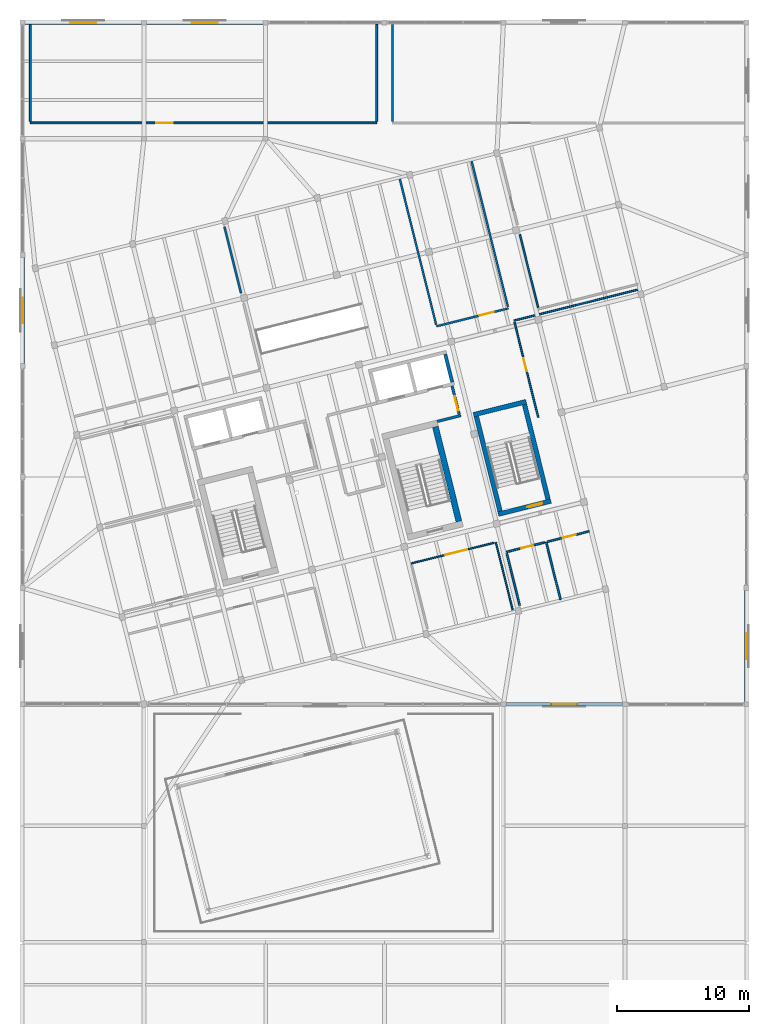
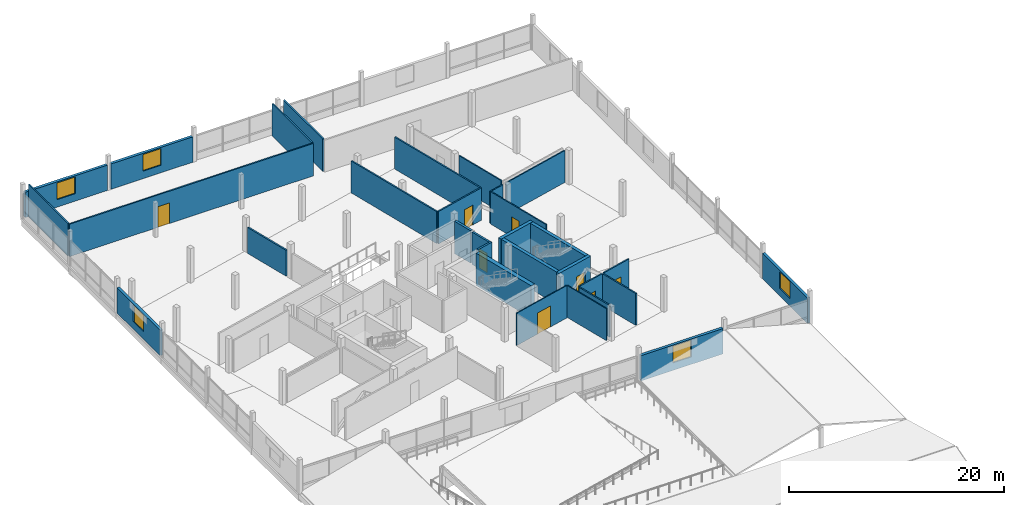
# One storey, part 35 of 39: 31 walls, 8 doors, 5 windows, 13 openings.
"""IFC4 building model written with IfcOpenShell, lengths in metres."""

from ifc_helpers import new_model, si_unit, direction, frame, frame_2d, origin, place, context, subcontext, project, spatial, rectangle, extrude, material, layer, layer_set, type_object, element, fill, save


model = new_model("IFC4")

# Units and contexts
model_context = context("Model", 3, precision=1e-05, world=origin(), true_north=direction((0.0, 1.0)))
body_context = subcontext(model_context, "Body", "Model", "MODEL_VIEW")
ifc_project = project(units=[si_unit("LENGTHUNIT", "METRE"), si_unit("AREAUNIT", "SQUARE_METRE"), si_unit("VOLUMEUNIT", "CUBIC_METRE"), si_unit("PLANEANGLEUNIT", "RADIAN"), si_unit("MASSUNIT", "GRAM", prefix="KILO")], contexts=[model_context])

# Site, building, storey
site_placement = place(None, origin())
site = spatial("IfcSite", under=ifc_project, at=site_placement, CompositionType="ELEMENT")
building_placement = place(site_placement, origin())
building = spatial("IfcBuilding", under=site, at=building_placement, Name="Meriwether Solvik Hall", CompositionType="ELEMENT")
storey_placement = place(building_placement, frame((0.0, 0.0, 22.199951171875)))
storey = spatial("IfcBuildingStorey", under=building, at=storey_placement, Name="L05", CompositionType="ELEMENT", Elevation=22.199951171875)

# Walls
ifc_material_1 = material(Name="Double-Layer Acoustic Gypsum Board", Category="gypsum")
ifc_layer_1 = layer(ifc_material_1, 0.1650390625)
ifc_layer_set_1 = layer_set([ifc_layer_1], Name="Double-Layer Acoustic Gypsum Board")
wall_type_1 = type_object("IfcWallType", Name="WALL-DEM-165", PredefinedType="PARTITIONING", material=ifc_layer_set_1)
wall_1_placement = place(storey_placement, frame((87.39990234375, 92.64990234375, 0.0), z_axis=(0.0, 0.0, 1.0), x_axis=(0.0, -1.0, 0.0)))
element("IfcWall", 1, at=wall_1_placement, inside=storey, type_object=wall_type_1, Name="L05 Interior Partition dat_n5b_w", PredefinedType="PARTITIONING", context=body_context, shape_type="SweptSolid", body=[
    extrude(rectangle(XDim=7.329833984375, YDim=0.1650390625, at=frame_2d((3.6650390625, 0.0))), origin(), (0.0, 0.0, 1.0), 3.679931640625),
])
wall_2_placement = place(storey_placement, frame((75.94091796875, 72.313720703125, 0.0), z_axis=(0.0, 0.0, 1.0), x_axis=(-0.241925047615, 0.970294940385, 0.0)))
element("IfcWall", 2, at=wall_2_placement, inside=storey, type_object=wall_type_1, Name="L05 Interior Partition art_nw1_e_s2", PredefinedType="PARTITIONING", context=body_context, shape_type="SweptSolid", body=[
    extrude(rectangle(XDim=5.175048828125, YDim=0.1650390625, at=frame_2d((2.58740234375, 0.0))), origin(), (0.0, 0.0, 1.0), 2.945068359375),
])

# Wall, opening, window
ifc_material_2 = material(Name="Cross-Laminated Timber and Mineral-Wool Insulation", Category="wood")
ifc_layer_2 = layer(ifc_material_2, 0.2900390625)
ifc_layer_set_2 = layer_set([ifc_layer_2], Name="Cross-Laminated Timber and Mineral-Wool Insulation")
wall_type_2 = type_object("IfcWallType", Name="WALL-EXT-290", PredefinedType="SOLIDWALL", material=ifc_layer_set_2)
wall_3_placement = place(storey_placement, frame((104.805419921875, 41.199951171875, 0.0), z_axis=(0.0, 0.0, 1.0), x_axis=(-1.0, 0.0, 0.0)))
wall_3 = element("IfcWall", 3, at=wall_3_placement, inside=storey, type_object=wall_type_2, Name="L05 S Wing Facade Wall XE_11_4", PredefinedType="SOLIDWALL", context=body_context, shape_type="SweptSolid", body=[
    extrude(rectangle(XDim=8.81103515625, YDim=0.2900390625, at=frame_2d((4.405517578125, 0.0))), origin(), (0.0, 0.0, 1.0), 2.880126953125),
])
opening_1_placement = place(wall_3_placement, frame((3.430419921875, 0.0, 0.85009765625)))
opening_1 = element("IfcOpeningElement", 4, at=opening_1_placement, cuts=wall_3, Name="Opening WN-158", PredefinedType="OPENING", context=body_context, shape_type="SweptSolid", body=[
    extrude(rectangle(XDim=1.949951171875, YDim=1.89990234375, at=frame_2d((0.97509765625, 0.949951171875))), frame((0.0, 0.156982421875, 0.0), z_axis=(0.0, -1.0, 0.0), x_axis=(1.0, 0.0, 0.0)), (0.0, 0.0, 1.0), 0.31396484375),
])
ifc_material_3 = material(Name="Thermally Broken Anodised Aluminium and Triple Low-E Glass", Category="aluminium")
window_type = type_object("IfcWindowType", Name="WIN-TW-LOW-195X190", PartitioningType="SINGLE_PANEL", PredefinedType="WINDOW", material=ifc_material_3)
window_1_placement = place(opening_1_placement, origin())
window_1 = element("IfcWindow", 5, at=window_1_placement, inside=storey, type_object=window_type, Name="L05 S Window XE_11_4", OverallHeight=1.89990234375, OverallWidth=1.949951171875, PartitioningType="SINGLE_PANEL", PredefinedType="WINDOW", context=body_context, shape_type="SweptSolid", body=[
    extrude(rectangle(XDim=1.949951171875, YDim=1.89990234375, at=frame_2d((0.97509765625, 0.949951171875))), frame((0.0, 0.030029296875, 0.0), z_axis=(0.0, -1.0, 0.0), x_axis=(1.0, 0.0, 0.0)), (0.0, 0.0, 1.0), 0.06005859375),
])
fill(opening_1, window_1)

wall_4_placement = place(storey_placement, frame((59.594482421875, 92.800048828125, 0.0), z_axis=(0.0, 0.0, 1.0), x_axis=(1.0, 0.0, 0.0)))
wall_4 = element("IfcWall", 6, at=wall_4_placement, inside=storey, type_object=wall_type_2, Name="L05 N Wing Facade Wall XK_7_6", PredefinedType="SOLIDWALL", context=body_context, shape_type="SweptSolid", body=[
    extrude(rectangle(XDim=8.81103515625, YDim=0.2900390625, at=frame_2d((4.405517578125, 0.0))), origin(), (0.0, 0.0, 1.0), 2.880126953125),
])
opening_2_placement = place(wall_4_placement, frame((3.430419921875, 0.0, 0.85009765625)))
opening_2 = element("IfcOpeningElement", 7, at=opening_2_placement, cuts=wall_4, Name="Opening WN-158", PredefinedType="OPENING", context=body_context, shape_type="SweptSolid", body=[
    extrude(rectangle(XDim=1.949951171875, YDim=1.89990234375, at=frame_2d((0.97509765625, 0.949951171875))), frame((0.0, 0.156982421875, 0.0), z_axis=(0.0, -1.0, 0.0), x_axis=(1.0, 0.0, 0.0)), (0.0, 0.0, 1.0), 0.31396484375),
])
window_2_placement = place(opening_2_placement, origin())
window_2 = element("IfcWindow", 8, at=window_2_placement, inside=storey, type_object=window_type, Name="L05 N Window XK_7_6", OverallHeight=1.89990234375, OverallWidth=1.949951171875, PartitioningType="SINGLE_PANEL", PredefinedType="WINDOW", context=body_context, shape_type="SweptSolid", body=[
    extrude(rectangle(XDim=1.949951171875, YDim=1.89990234375, at=frame_2d((0.97509765625, 0.949951171875))), frame((0.0, 0.030029296875, 0.0), z_axis=(0.0, -1.0, 0.0), x_axis=(1.0, 0.0, 0.0)), (0.0, 0.0, 1.0), 0.06005859375),
])
fill(opening_2, window_2)

wall_5_placement = place(storey_placement, frame((68.79443359375, 92.800048828125, 0.0), z_axis=(0.0, 0.0, 1.0), x_axis=(1.0, 0.0, 0.0)))
wall_5 = element("IfcWall", 9, at=wall_5_placement, inside=storey, type_object=wall_type_2, Name="L05 N Wing Facade Wall XK_8_7", PredefinedType="SOLIDWALL", context=body_context, shape_type="SweptSolid", body=[
    extrude(rectangle(XDim=8.81103515625, YDim=0.2900390625, at=frame_2d((4.405517578125, 0.0))), origin(), (0.0, 0.0, 1.0), 2.880126953125),
])
opening_3_placement = place(wall_5_placement, frame((3.430419921875, 0.0, 0.85009765625)))
opening_3 = element("IfcOpeningElement", 10, at=opening_3_placement, cuts=wall_5, Name="Opening WN-158", PredefinedType="OPENING", context=body_context, shape_type="SweptSolid", body=[
    extrude(rectangle(XDim=1.949951171875, YDim=1.89990234375, at=frame_2d((0.97509765625, 0.949951171875))), frame((0.0, 0.156982421875, 0.0), z_axis=(0.0, -1.0, 0.0), x_axis=(1.0, 0.0, 0.0)), (0.0, 0.0, 1.0), 0.31396484375),
])
window_3_placement = place(opening_3_placement, origin())
window_3 = element("IfcWindow", 11, at=window_3_placement, inside=storey, type_object=window_type, Name="L05 N Window XK_8_7", OverallHeight=1.89990234375, OverallWidth=1.949951171875, PartitioningType="SINGLE_PANEL", PredefinedType="WINDOW", context=body_context, shape_type="SweptSolid", body=[
    extrude(rectangle(XDim=1.949951171875, YDim=1.89990234375, at=frame_2d((0.97509765625, 0.949951171875))), frame((0.0, 0.030029296875, 0.0), z_axis=(0.0, -1.0, 0.0), x_axis=(1.0, 0.0, 0.0)), (0.0, 0.0, 1.0), 0.06005859375),
])
fill(opening_3, window_3)

wall_6_placement = place(storey_placement, frame((59.39990234375, 66.994384765625, 0.0), z_axis=(0.0, 0.0, 1.0), x_axis=(0.0, 1.0, 0.0)))
wall_6 = element("IfcWall", 12, at=wall_6_placement, inside=storey, type_object=wall_type_2, Name="L05 W Wing Facade Wall Y7_8_15", PredefinedType="SOLIDWALL", context=body_context, shape_type="SweptSolid", body=[
    extrude(rectangle(XDim=8.01123046875, YDim=0.2900390625, at=frame_2d((4.005615234375, 0.0))), origin(), (0.0, 0.0, 1.0), 2.880126953125),
])
opening_4_placement = place(wall_6_placement, frame((3.030517578125, 0.0, 0.85009765625)))
opening_4 = element("IfcOpeningElement", 13, at=opening_4_placement, cuts=wall_6, Name="Opening WN-158", PredefinedType="OPENING", context=body_context, shape_type="SweptSolid", body=[
    extrude(rectangle(XDim=1.949951171875, YDim=1.89990234375, at=frame_2d((0.97509765625, 0.949951171875))), frame((0.0, 0.156982421875, 0.0), z_axis=(0.0, -1.0, 0.0), x_axis=(1.0, 0.0, 0.0)), (0.0, 0.0, 1.0), 0.31396484375),
])
window_4_placement = place(opening_4_placement, origin())
window_4 = element("IfcWindow", 14, at=window_4_placement, inside=storey, type_object=window_type, Name="L05 W Window Y7_8_15", OverallHeight=1.89990234375, OverallWidth=1.949951171875, PartitioningType="SINGLE_PANEL", PredefinedType="WINDOW", context=body_context, shape_type="SweptSolid", body=[
    extrude(rectangle(XDim=1.949951171875, YDim=1.89990234375, at=frame_2d((0.97509765625, 0.949951171875))), frame((0.0, 0.030029296875, 0.0), z_axis=(0.0, -1.0, 0.0), x_axis=(1.0, 0.0, 0.0)), (0.0, 0.0, 1.0), 0.06005859375),
])
fill(opening_4, window_4)

wall_7_placement = place(storey_placement, frame((114.199951171875, 49.805419921875, 0.0), z_axis=(0.0, 0.0, 1.0), x_axis=(0.0, -1.0, 0.0)))
wall_7 = element("IfcWall", 15, at=wall_7_placement, inside=storey, type_object=wall_type_2, Name="L05 E Wing Facade Wall Y13_5_18", PredefinedType="SOLIDWALL", context=body_context, shape_type="SweptSolid", body=[
    extrude(rectangle(XDim=8.410888671875, YDim=0.2900390625, at=frame_2d((4.20556640625, 0.0))), origin(), (0.0, 0.0, 1.0), 2.880126953125),
])
opening_5_placement = place(wall_7_placement, frame((3.23046875, 0.0, 0.85009765625)))
opening_5 = element("IfcOpeningElement", 16, at=opening_5_placement, cuts=wall_7, Name="Opening WN-158", PredefinedType="OPENING", context=body_context, shape_type="SweptSolid", body=[
    extrude(rectangle(XDim=1.949951171875, YDim=1.89990234375, at=frame_2d((0.97509765625, 0.949951171875))), frame((0.0, 0.156982421875, 0.0), z_axis=(0.0, -1.0, 0.0), x_axis=(1.0, 0.0, 0.0)), (0.0, 0.0, 1.0), 0.31396484375),
])
window_5_placement = place(opening_5_placement, origin())
window_5 = element("IfcWindow", 17, at=window_5_placement, inside=storey, type_object=window_type, Name="L05 E Window Y13_5_18", OverallHeight=1.89990234375, OverallWidth=1.949951171875, PartitioningType="SINGLE_PANEL", PredefinedType="WINDOW", context=body_context, shape_type="SweptSolid", body=[
    extrude(rectangle(XDim=1.949951171875, YDim=1.89990234375, at=frame_2d((0.97509765625, 0.949951171875))), frame((0.0, 0.030029296875, 0.0), z_axis=(0.0, -1.0, 0.0), x_axis=(1.0, 0.0, 0.0)), (0.0, 0.0, 1.0), 0.06005859375),
])
fill(opening_5, window_5)

# Wall
ifc_material_4 = material(Name="Fire-Rated Type X Gypsum Board", Category="gypsum")
ifc_layer_3 = layer(ifc_material_4, 0.199951171875)
ifc_layer_set_3 = layer_set([ifc_layer_3], Name="Fire-Rated Type X Gypsum Board")
wall_type_3 = type_object("IfcWallType", Name="WALL-FIRE-200", PredefinedType="STANDARD", material=ifc_layer_set_3)
wall_8_placement = place(storey_placement, frame((90.791015625, 62.604248046875, 0.0), z_axis=(0.0, 0.0, 1.0), x_axis=(0.970306180373, 0.241879962645, 0.0)))
element("IfcWall", 18, at=wall_8_placement, inside=storey, type_object=wall_type_3, Name="L05 Interior Partition lb2_s", PredefinedType="STANDARD", context=body_context, shape_type="SweptSolid", body=[
    extrude(rectangle(XDim=1.840087890625, YDim=0.199951171875, at=frame_2d((0.919921875, 0.0))), origin(), (0.0, 0.0, 1.0), 3.679931640625),
])

# Wall, opening, door
wall_9_placement = place(storey_placement, frame((91.913330078125, 65.295654296875, 0.0), z_axis=(0.0, 0.0, 1.0), x_axis=(0.241836892041, -0.970316916089, 0.0)))
wall_9 = element("IfcWall", 19, at=wall_9_placement, inside=storey, type_object=wall_type_3, Name="L05 Interior Partition lb2_e", PredefinedType="STANDARD", context=body_context, shape_type="SweptSolid", body=[
    extrude(rectangle(XDim=2.219970703125, YDim=0.199951171875, at=frame_2d((1.10986328125, 0.0))), origin(), (0.0, 0.0, 1.0), 3.679931640625),
])
opening_6_placement = place(wall_9_placement, frame((0.820068359375, 0.0, 0.0)))
opening_6 = element("IfcOpeningElement", 20, at=opening_6_placement, cuts=wall_9, Name="Opening D-168", PredefinedType="OPENING", context=body_context, shape_type="SweptSolid", body=[
    extrude(rectangle(XDim=1.10009765625, YDim=2.199951171875, at=frame_2d((0.550048828125, 1.10009765625))), frame((0.0, 0.11181640625, 0.0), z_axis=(0.0, -1.0, 0.0), x_axis=(1.0, 0.0, 0.0)), (0.0, 0.0, 1.0), 0.223876953125),
])
ifc_material_5 = material(Name="Steel A36 Galvanised", Category="steel")
door_type_1 = type_object("IfcDoorType", Name="DR-FD60-1100L", OperationType="SINGLE_SWING_LEFT", PredefinedType="DOOR", material=ifc_material_5)
door_1_placement = place(opening_6_placement, origin())
door_1 = element("IfcDoor", 21, at=door_1_placement, inside=storey, type_object=door_type_1, Name="East FSAE Lift Lobby Door (L05)", OperationType="SINGLE_SWING_LEFT", OverallHeight=2.199951171875, OverallWidth=1.10009765625, PredefinedType="DOOR", context=body_context, shape_type="SweptSolid", body=[
    extrude(rectangle(XDim=1.10009765625, YDim=2.199951171875, at=frame_2d((0.550048828125, 1.10009765625))), frame((0.0, 0.02490234375, 0.0), z_axis=(0.0, -1.0, 0.0), x_axis=(1.0, 0.0, 0.0)), (0.0, 0.0, 1.0), 0.050048828125),
])
fill(opening_6, door_1)

# Wall
ifc_material_6 = material(Name="Tempered Laminated Glass in Anodised Aluminium Frame", Category="aluminium")
ifc_layer_4 = layer(ifc_material_6, 0.112060546875)
ifc_layer_set_4 = layer_set([ifc_layer_4], Name="Tempered Laminated Glass in Anodised Aluminium Frame")
wall_type_4 = type_object("IfcWallType", Name="WALL-GLZ-112", PredefinedType="PARTITIONING", material=ifc_layer_set_4)
wall_10_placement = place(storey_placement, frame((96.50048828125, 48.343994140625, 0.0), z_axis=(0.0, 0.0, 1.0), x_axis=(-0.241914024689, 0.970297688681, 0.0)))
element("IfcWall", 22, at=wall_10_placement, inside=storey, type_object=wall_type_4, Name="L05 Interior Partition brk_s_e", PredefinedType="PARTITIONING", context=body_context, shape_type="SweptSolid", body=[
    extrude(rectangle(XDim=5.26806640625, YDim=0.112060546875, at=frame_2d((2.634033203125, 0.0))), origin(), (0.0, 0.0, 1.0), 3.630126953125),
])

# Wall, opening, door
wall_11_placement = place(storey_placement, frame((95.109619140625, 53.426513671875, 0.0), z_axis=(0.0, 0.0, 1.0), x_axis=(-0.970297436514, -0.241915036105, 0.0)))
wall_11 = element("IfcWall", 23, at=wall_11_placement, inside=storey, type_object=wall_type_4, Name="L05 Interior Partition brk_s_n", PredefinedType="PARTITIONING", context=body_context, shape_type="SweptSolid", body=[
    extrude(rectangle(XDim=6.47998046875, YDim=0.112060546875, at=frame_2d((3.239990234375, 0.0))), origin(), (0.0, 0.0, 1.0), 3.679931640625),
])
opening_7_placement = place(wall_11_placement, frame((2.118896484375, 0.0, 0.0)))
opening_7 = element("IfcOpeningElement", 24, at=opening_7_placement, cuts=wall_11, Name="Opening D-114", PredefinedType="OPENING", context=body_context, shape_type="SweptSolid", body=[
    extrude(rectangle(XDim=1.699951171875, YDim=2.39990234375, at=frame_2d((0.85009765625, 1.199951171875))), frame((0.0, 0.06787109375, 0.0), z_axis=(0.0, -1.0, 0.0), x_axis=(1.0, 0.0, 0.0)), (0.0, 0.0, 1.0), 0.135986328125),
])
ifc_material_7 = material(Name="Laminated Vision Glass and Solid White Oak Timber", Category="wood")
door_type_2 = type_object("IfcDoorType", Name="DR-GAL-1700", OperationType="DOUBLE_DOOR_SINGLE_SWING", PredefinedType="DOOR", material=ifc_material_7)
door_2_placement = place(opening_7_placement, origin())
door_2 = element("IfcDoor", 25, at=door_2_placement, inside=storey, type_object=door_type_2, Name="L05 Civic Terrace Lounge Door", OperationType="DOUBLE_DOOR_SINGLE_SWING", OverallHeight=2.39990234375, OverallWidth=1.699951171875, PredefinedType="DOOR", context=body_context, shape_type="SweptSolid", body=[
    extrude(rectangle(XDim=1.699951171875, YDim=2.39990234375, at=frame_2d((0.85009765625, 1.199951171875))), frame((0.0, 0.02490234375, 0.0), z_axis=(0.0, -1.0, 0.0), x_axis=(1.0, 0.0, 0.0)), (0.0, 0.0, 1.0), 0.050048828125),
])
fill(opening_7, door_2)

# Walls
ifc_material_8 = material(Name="Concrete C40/50", Category="concrete")
ifc_layer_5 = layer(ifc_material_8, 0.25)
ifc_layer_set_5 = layer_set([ifc_layer_5], Name="Concrete C40/50")
wall_type_5 = type_object("IfcWallType", Name="WALL-HOIST-250", PredefinedType="SHEAR", material=ifc_layer_set_5)
wall_12_placement = place(storey_placement, frame((91.920654296875, 65.575927734375, 0.0), z_axis=(0.0, 0.0, 1.0), x_axis=(-0.241903146974, 0.970300400641, 0.0)))
element("IfcWall", 26, at=wall_12_placement, inside=storey, type_object=wall_type_5, Name="Hoistway BANK2 East Wall (L05)", PredefinedType="SHEAR", context=body_context, shape_type="SweptSolid", body=[
    extrude(rectangle(XDim=2.179931640625, YDim=0.25, at=frame_2d((1.08984375, 0.0))), origin(), (0.0, 0.0, 1.0), 3.679931640625),
])
ifc_material_9 = material(Name="Gypsum Board Partition", Category="gypsum")
ifc_layer_6 = layer(ifc_material_9, 0.125)
ifc_layer_set_6 = layer_set([ifc_layer_6], Name="Gypsum Board Partition")
wall_type_6 = type_object("IfcWallType", Name="WALL-PART-125", PredefinedType="PARTITIONING", material=ifc_layer_set_6)
wall_13_placement = place(storey_placement, frame((105.942626953125, 72.565673828125, 0.0), z_axis=(0.0, 0.0, 1.0), x_axis=(-0.970296452593, -0.241918982482, 0.0)))
element("IfcWall", 27, at=wall_13_placement, inside=storey, type_object=wall_type_6, Name="L05 Interior Partition off_e1_n", PredefinedType="PARTITIONING", context=body_context, shape_type="SweptSolid", body=[
    extrude(rectangle(XDim=7.639404296875, YDim=0.125, at=frame_2d((3.81982421875, 0.0))), origin(), (0.0, 0.0, 1.0), 3.630126953125),
])
wall_14_placement = place(storey_placement, frame((98.180419921875, 70.63037109375, 0.0), z_axis=(0.0, 0.0, 1.0), x_axis=(-0.97029286295, -0.241933379482, 0.0)))
element("IfcWall", 28, at=wall_14_placement, inside=storey, type_object=wall_type_6, Name="L05 Interior Partition off_e1_n_s2", PredefinedType="PARTITIONING", context=body_context, shape_type="SweptSolid", body=[
    extrude(rectangle(XDim=1.62158203125, YDim=0.125, at=frame_2d((0.810791015625, 0.0))), origin(), (0.0, 0.0, 1.0), 3.630126953125),
])

# Wall, opening, door
wall_15_placement = place(storey_placement, frame((96.635986328125, 70.12158203125, 0.0), z_axis=(0.0, 0.0, 1.0), x_axis=(0.241939445223, -0.970291350495, 0.0)))
wall_15 = element("IfcWall", 29, at=wall_15_placement, inside=storey, type_object=wall_type_6, Name="L05 Interior Partition off_e1_w", PredefinedType="PARTITIONING", context=body_context, shape_type="SweptSolid", body=[
    extrude(rectangle(XDim=7.419921875, YDim=0.125, at=frame_2d((3.7099609375, 0.0))), origin(), (0.0, 0.0, 1.0), 3.679931640625),
])
opening_8_placement = place(wall_15_placement, frame((2.823486328125, 0.0, 0.0)))
opening_8 = element("IfcOpeningElement", 30, at=opening_8_placement, cuts=wall_15, Name="Opening D-166", PredefinedType="OPENING", context=body_context, shape_type="SweptSolid", body=[
    extrude(rectangle(XDim=1.0, YDim=2.25, at=frame_2d((0.5, 1.125))), frame((0.0, 0.074462890625, 0.0), z_axis=(0.0, -1.0, 0.0), x_axis=(1.0, 0.0, 0.0)), (0.0, 0.0, 1.0), 0.14892578125),
])
ifc_material_10 = material(Name="Laminated Vision Glass and Solid White Oak Timber", Category="wood")
door_type_3 = type_object("IfcDoorType", Name="DR-OFF-1000L", OperationType="SINGLE_SWING_LEFT", PredefinedType="DOOR", material=ifc_material_10)
door_3_placement = place(opening_8_placement, origin())
door_3 = element("IfcDoor", 31, at=door_3_placement, inside=storey, type_object=door_type_3, Name="L05 Continuing Education Office Door", OperationType="SINGLE_SWING_LEFT", OverallHeight=2.25, OverallWidth=1.0, PredefinedType="DOOR", context=body_context, shape_type="SweptSolid", body=[
    extrude(rectangle(XDim=1.0, YDim=2.25, at=frame_2d((0.5, 1.125))), frame((0.0, 0.02490234375, 0.0), z_axis=(0.0, -1.0, 0.0), x_axis=(1.0, 0.0, 0.0)), (0.0, 0.0, 1.0), 0.050048828125),
])
fill(opening_8, door_3)

# Wall
wall_16_placement = place(storey_placement, frame((97.045166015625, 76.74755859375, 0.0), z_axis=(0.0, 0.0, 1.0), x_axis=(0.241950032654, -0.970288710487, 0.0)))
element("IfcWall", 32, at=wall_16_placement, inside=storey, type_object=wall_type_6, Name="L05 Interior Partition off_e2_w_s2", PredefinedType="PARTITIONING", context=body_context, shape_type="SweptSolid", body=[
    extrude(rectangle(XDim=5.68994140625, YDim=0.125, at=frame_2d((2.844970703125, 0.0))), origin(), (0.0, 0.0, 1.0), 3.630126953125),
])

# Wall, opening, door
ifc_material_11 = material(Name="Gypsum Board Partition", Category="gypsum")
ifc_layer_7 = layer(ifc_material_11, 0.14990234375)
ifc_layer_set_7 = layer_set([ifc_layer_7], Name="Gypsum Board Partition")
wall_type_7 = type_object("IfcWallType", Name="WALL-PART-150", PredefinedType="PARTITIONING", material=ifc_layer_set_7)
wall_17_placement = place(storey_placement, frame((60.0, 85.199951171875, 0.0), z_axis=(0.0, 0.0, 1.0), x_axis=(1.0, 0.0, 0.0)))
wall_17 = element("IfcWall", 33, at=wall_17_placement, inside=storey, type_object=wall_type_7, Name="L05 Interior Partition urb_n5a_s", PredefinedType="PARTITIONING", context=body_context, shape_type="SweptSolid", body=[
    extrude(rectangle(XDim=26.199951171875, YDim=0.14990234375, at=frame_2d((13.10009765625, 0.0))), origin(), (0.0, 0.0, 1.0), 3.679931640625),
])
opening_9_placement = place(wall_17_placement, frame((9.52099609375, 0.0, 0.0)))
opening_9 = element("IfcOpeningElement", 34, at=opening_9_placement, cuts=wall_17, Name="Opening D-180", PredefinedType="OPENING", context=body_context, shape_type="SweptSolid", body=[
    extrude(rectangle(XDim=1.25, YDim=2.35009765625, at=frame_2d((0.625, 1.175048828125))), frame((0.0, 0.0869140625, 0.0), z_axis=(0.0, -1.0, 0.0), x_axis=(1.0, 0.0, 0.0)), (0.0, 0.0, 1.0), 0.173828125),
])
ifc_material_12 = material(Name="Solid-Core Rift White Oak Timber", Category="wood")
door_type_4 = type_object("IfcDoorType", Name="DR-STD-1250L", OperationType="SINGLE_SWING_LEFT", PredefinedType="DOOR", material=ifc_material_12)
door_4_placement = place(opening_9_placement, origin())
door_4 = element("IfcDoor", 35, at=door_4_placement, inside=storey, type_object=door_type_4, Name="Urban Sustainability Studio Door", OperationType="SINGLE_SWING_LEFT", OverallHeight=2.35009765625, OverallWidth=1.25, PredefinedType="DOOR", context=body_context, shape_type="SweptSolid", body=[
    extrude(rectangle(XDim=1.25, YDim=2.35009765625, at=frame_2d((0.625, 1.175048828125))), frame((0.0, 0.02490234375, 0.0), z_axis=(0.0, -1.0, 0.0), x_axis=(1.0, 0.0, 0.0)), (0.0, 0.0, 1.0), 0.050048828125),
])
fill(opening_9, door_4)

# Walls
for number, where, z_axis, x_axis, name in (
    (36, (86.199951171875, 85.320068359375, 0.0), (0.0, 0.0, 1.0), (0.0, 1.0, 0.0), "L05 Interior Partition urb_n5a_e"),
    (37, (60.0, 92.64990234375, 0.0), (0.0, 0.0, 1.0), (0.0, -1.0, 0.0), "L05 Interior Partition urb_n5a_w"),
):
    element("IfcWall", number, at=place(storey_placement, frame(where, z_axis=z_axis, x_axis=x_axis)), inside=storey, type_object=wall_type_7, Name=name, PredefinedType="PARTITIONING", context=body_context, shape_type="SweptSolid", body=[
        extrude(rectangle(XDim=7.329833984375, YDim=0.14990234375, at=frame_2d((3.6650390625, 0.0))), origin(), (0.0, 0.0, 1.0), 3.679931640625),
    ])

# Wall, opening, door
wall_18_placement = place(storey_placement, frame((90.7373046875, 69.80517578125, 0.0), z_axis=(0.0, 0.0, 1.0), x_axis=(0.970296176881, 0.241920088314, 0.0)))
wall_18 = element("IfcWall", 38, at=wall_18_placement, inside=storey, type_object=wall_type_7, Name="L05 Interior Partition arch_ne1_s", PredefinedType="PARTITIONING", context=body_context, shape_type="SweptSolid", body=[
    extrude(rectangle(XDim=5.599853515625, YDim=0.14990234375, at=frame_2d((2.7998046875, 0.0))), origin(), (0.0, 0.0, 1.0), 3.679931640625),
])
opening_10_placement = place(wall_18_placement, frame((3.35009765625, 0.0, 0.0)))
opening_10 = element("IfcOpeningElement", 39, at=opening_10_placement, cuts=wall_18, Name="Opening D-134", PredefinedType="OPENING", context=body_context, shape_type="SweptSolid", body=[
    extrude(rectangle(XDim=1.10009765625, YDim=2.25, at=frame_2d((0.550048828125, 1.125))), frame((0.0, 0.0869140625, 0.0), z_axis=(0.0, -1.0, 0.0), x_axis=(1.0, 0.0, 0.0)), (0.0, 0.0, 1.0), 0.173828125),
])
ifc_material_13 = material(Name="Laminated Vision Glass and Solid White Oak Timber", Category="wood")
door_type_5 = type_object("IfcDoorType", Name="DR-CLS-1100L", OperationType="SINGLE_SWING_LEFT", PredefinedType="DOOR", material=ifc_material_13)
door_5_placement = place(opening_10_placement, origin())
door_5 = element("IfcDoor", 40, at=door_5_placement, inside=storey, type_object=door_type_5, Name="L05 Architecture Crit Studio Door", OperationType="SINGLE_SWING_LEFT", OverallHeight=2.25, OverallWidth=1.10009765625, PredefinedType="DOOR", context=body_context, shape_type="SweptSolid", body=[
    extrude(rectangle(XDim=1.10009765625, YDim=2.25, at=frame_2d((0.550048828125, 1.125))), frame((0.0, 0.02490234375, 0.0), z_axis=(0.0, -1.0, 0.0), x_axis=(1.0, 0.0, 0.0)), (0.0, 0.0, 1.0), 0.050048828125),
])
fill(opening_10, door_5)

# Walls
wall_19_placement = place(storey_placement, frame((96.14208984375, 71.2763671875, 0.0), z_axis=(0.0, 0.0, 1.0), x_axis=(-0.241936989516, 0.970291962815, 0.0)))
element("IfcWall", 41, at=wall_19_placement, inside=storey, type_object=wall_type_7, Name="L05 Interior Partition arch_ne1_e", PredefinedType="PARTITIONING", context=body_context, shape_type="SweptSolid", body=[
    extrude(rectangle(XDim=11.420166015625, YDim=0.14990234375, at=frame_2d((5.7099609375, 0.0))), origin(), (0.0, 0.0, 1.0), 3.630126953125),
])
wall_20_placement = place(storey_placement, frame((87.945556640625, 81.00244140625, 0.0), z_axis=(0.0, 0.0, 1.0), x_axis=(0.24191686251, -0.970296981152, 0.0)))
element("IfcWall", 42, at=wall_20_placement, inside=storey, type_object=wall_type_7, Name="L05 Interior Partition arch_ne1_w", PredefinedType="PARTITIONING", context=body_context, shape_type="SweptSolid", body=[
    extrude(rectangle(XDim=11.419921875, YDim=0.14990234375, at=frame_2d((5.7099609375, 0.0))), origin(), (0.0, 0.0, 1.0), 3.630126953125),
])

# Wall, opening, door
ifc_material_14 = material(Name="Concrete C40/50", Category="concrete")
ifc_layer_8 = layer(ifc_material_14, 0.35009765625)
ifc_layer_set_8 = layer_set([ifc_layer_8], Name="Concrete C40/50")
wall_type_8 = type_object("IfcWallType", Name="WALL-RC-350", PredefinedType="SHEAR", material=ifc_layer_set_8)
wall_21_placement = place(storey_placement, frame((95.415283203125, 55.589599609375, 0.0), z_axis=(0.0, 0.0, 1.0), x_axis=(0.970292928015, 0.241933118535, 0.0)))
wall_21 = element("IfcWall", 43, at=wall_21_placement, inside=storey, type_object=wall_type_8, Name="CORE-3 Shear Wall S (L05)", PredefinedType="SHEAR", context=body_context, shape_type="SweptSolid", body=[
    extrude(rectangle(XDim=4.10009765625, YDim=0.35009765625, at=frame_2d((2.050048828125, 0.0))), origin(), (0.0, 0.0, 1.0), 3.679931640625),
])
opening_11_placement = place(wall_21_placement, frame((2.25, 0.0, 0.0)))
opening_11 = element("IfcOpeningElement", 44, at=opening_11_placement, cuts=wall_21, Name="Opening D-148", PredefinedType="OPENING", context=body_context, shape_type="SweptSolid", body=[
    extrude(rectangle(XDim=1.14990234375, YDim=2.199951171875, at=frame_2d((0.574951171875, 1.10009765625))), frame((0.0, 0.18701171875, 0.0), z_axis=(0.0, -1.0, 0.0), x_axis=(1.0, 0.0, 0.0)), (0.0, 0.0, 1.0), 0.3740234375),
])
ifc_material_15 = material(Name="Steel A36 Galvanised", Category="steel")
door_type_6 = type_object("IfcDoorType", Name="DR-FD90-1150R", OperationType="SINGLE_SWING_RIGHT", PredefinedType="DOOR", material=ifc_material_15)
door_6_placement = place(opening_11_placement, origin())
door_6 = element("IfcDoor", 45, at=door_6_placement, inside=storey, type_object=door_type_6, Name="Stair ST-03 Smokeproof Exit Door (L05)", OperationType="SINGLE_SWING_RIGHT", OverallHeight=2.199951171875, OverallWidth=1.14990234375, PredefinedType="DOOR", context=body_context, shape_type="SweptSolid", body=[
    extrude(rectangle(XDim=1.14990234375, YDim=2.199951171875, at=frame_2d((0.574951171875, 1.10009765625))), frame((0.0, 0.02490234375, 0.0), z_axis=(0.0, -1.0, 0.0), x_axis=(1.0, 0.0, 0.0)), (0.0, 0.0, 1.0), 0.050048828125),
])
fill(opening_11, door_6)

# Walls
wall_22_placement = place(storey_placement, frame((97.5185546875, 64.101318359375, 0.0), z_axis=(0.0, 0.0, 1.0), x_axis=(-0.970289442421, -0.241947097371, 0.0)))
element("IfcWall", 46, at=wall_22_placement, inside=storey, type_object=wall_type_8, Name="CORE-3 Shear Wall N (L05)", PredefinedType="SHEAR", context=body_context, shape_type="SweptSolid", body=[
    extrude(rectangle(XDim=4.099853515625, YDim=0.35009765625, at=frame_2d((2.0498046875, 0.0))), origin(), (0.0, 0.0, 1.0), 3.679931640625),
])
for number, where, z_axis, x_axis, name in (
    (47, (93.755126953125, 62.97216796875, 0.0), (0.0, 0.0, 1.0), (0.241897280066, -0.970301863286, 0.0), "CORE-3 Shear Wall W (L05)"),
    (48, (99.178955078125, 56.71875, 0.0), (0.0, 0.0, 1.0), (-0.241928426141, 0.970294098006, 0.0), "CORE-3 Shear Wall E (L05)"),
):
    element("IfcWall", number, at=place(storey_placement, frame(where, z_axis=z_axis, x_axis=x_axis)), inside=storey, type_object=wall_type_8, Name=name, PredefinedType="SHEAR", context=body_context, shape_type="SweptSolid", body=[
        extrude(rectangle(XDim=7.3798828125, YDim=0.35009765625, at=frame_2d((3.68994140625, 0.0))), origin(), (0.0, 0.0, 1.0), 3.679931640625),
    ])
ifc_material_16 = material(Name="Concrete C45/55", Category="concrete")
ifc_layer_9 = layer(ifc_material_16, 0.449951171875)
ifc_layer_set_9 = layer_set([ifc_layer_9], Name="Concrete C45/55")
wall_type_9 = type_object("IfcWallType", Name="WALL-RC-450", PredefinedType="SHEAR", material=ifc_layer_set_9)
wall_23_placement = place(storey_placement, frame((92.435546875, 55.037353515625, 0.0), z_axis=(0.0, 0.0, 1.0), x_axis=(-0.241920660665, 0.970296034179, 0.0)))
element("IfcWall", 49, at=wall_23_placement, inside=storey, type_object=wall_type_9, Name="CORE-2 Shear Wall E (L05)", PredefinedType="SHEAR", context=body_context, shape_type="SweptSolid", body=[
    extrude(rectangle(XDim=7.380126953125, YDim=0.449951171875, at=frame_2d((3.68994140625, 0.0))), origin(), (0.0, 0.0, 1.0), 3.679931640625),
])
ifc_material_17 = material(Name="Moisture-Resistant Gypsum Board", Category="gypsum")
ifc_layer_10 = layer(ifc_material_17, 0.139892578125)
ifc_layer_set_10 = layer_set([ifc_layer_10], Name="Moisture-Resistant Gypsum Board")
wall_type_10 = type_object("IfcWallType", Name="WALL-WET-140", PredefinedType="PLUMBINGWALL", material=ifc_layer_set_10)
wall_24_placement = place(storey_placement, frame((100.1201171875, 49.12060546875, 0.0), z_axis=(0.0, 0.0, 1.0), x_axis=(-0.2419086774, 0.970299021848, 0.0)))
element("IfcWall", 50, at=wall_24_placement, inside=storey, type_object=wall_type_10, Name="L05 Interior Partition wc_m_e", PredefinedType="PLUMBINGWALL", context=body_context, shape_type="SweptSolid", body=[
    extrude(rectangle(XDim=4.489990234375, YDim=0.139892578125, at=frame_2d((2.2451171875, 0.0))), origin(), (0.0, 0.0, 1.0), 3.630126953125),
])

# Wall, opening, door
wall_25_placement = place(storey_placement, frame((98.91748046875, 53.4482421875, 0.0), z_axis=(0.0, 0.0, 1.0), x_axis=(-0.970296512129, -0.241918743694, 0.0)))
wall_25 = element("IfcWall", 51, at=wall_25_placement, inside=storey, type_object=wall_type_10, Name="L05 Interior Partition wc_m_n", PredefinedType="PLUMBINGWALL", context=body_context, shape_type="SweptSolid", body=[
    extrude(rectangle(XDim=2.980224609375, YDim=0.139892578125, at=frame_2d((1.490234375, 0.0))), origin(), (0.0, 0.0, 1.0), 3.679931640625),
])
opening_12_placement = place(wall_25_placement, frame((0.9013671875, 0.0, 0.0)))
opening_12 = element("IfcOpeningElement", 52, at=opening_12_placement, cuts=wall_25, Name="Opening D-174", PredefinedType="OPENING", context=body_context, shape_type="SweptSolid", body=[
    extrude(rectangle(XDim=0.89990234375, YDim=2.14990234375, at=frame_2d((0.449951171875, 1.074951171875))), frame((0.0, 0.08203125, 0.0), z_axis=(0.0, -1.0, 0.0), x_axis=(1.0, 0.0, 0.0)), (0.0, 0.0, 1.0), 0.163818359375),
])
ifc_material_18 = material(Name="Solid-Core Rift White Oak Timber", Category="wood")
door_type_7 = type_object("IfcDoorType", Name="DR-WC-900L", OperationType="SINGLE_SWING_LEFT", PredefinedType="DOOR", material=ifc_material_18)
door_7_placement = place(opening_12_placement, origin())
door_7 = element("IfcDoor", 53, at=door_7_placement, inside=storey, type_object=door_type_7, Name="L05 Restrooms Door", OperationType="SINGLE_SWING_LEFT", OverallHeight=2.14990234375, OverallWidth=0.89990234375, PredefinedType="DOOR", context=body_context, shape_type="SweptSolid", body=[
    extrude(rectangle(XDim=0.89990234375, YDim=2.14990234375, at=frame_2d((0.449951171875, 1.074951171875))), frame((0.0, 0.02490234375, 0.0), z_axis=(0.0, -1.0, 0.0), x_axis=(1.0, 0.0, 0.0)), (0.0, 0.0, 1.0), 0.050048828125),
])
fill(opening_12, door_7)

# Wall
wall_26_placement = place(storey_placement, frame((96.054931640625, 52.61083984375, 0.0), z_axis=(0.0, 0.0, 1.0), x_axis=(0.241938297122, -0.97029163677, 0.0)))
element("IfcWall", 54, at=wall_26_placement, inside=storey, type_object=wall_type_10, Name="L05 Interior Partition wc_m_w", PredefinedType="PLUMBINGWALL", context=body_context, shape_type="SweptSolid", body=[
    extrude(rectangle(XDim=4.03955078125, YDim=0.139892578125, at=frame_2d((2.019775390625, 0.0))), origin(), (0.0, 0.0, 1.0), 3.630126953125),
])

# Wall, opening, door
wall_27_placement = place(storey_placement, frame((102.284423828125, 54.287841796875, 0.0), z_axis=(0.0, 0.0, 1.0), x_axis=(-0.970289047109, -0.241948682698, 0.0)))
wall_27 = element("IfcWall", 55, at=wall_27_placement, inside=storey, type_object=wall_type_10, Name="L05 Interior Partition wc_a_n", PredefinedType="PLUMBINGWALL", context=body_context, shape_type="SweptSolid", body=[
    extrude(rectangle(XDim=3.22998046875, YDim=0.139892578125, at=frame_2d((1.614990234375, 0.0))), origin(), (0.0, 0.0, 1.0), 3.679931640625),
])
opening_13_placement = place(wall_27_placement, frame((1.0341796875, 0.0, 0.0)))
opening_13 = element("IfcOpeningElement", 56, at=opening_13_placement, cuts=wall_27, Name="Opening D-140", PredefinedType="OPENING", context=body_context, shape_type="SweptSolid", body=[
    extrude(rectangle(XDim=1.0, YDim=2.14990234375, at=frame_2d((0.5, 1.074951171875))), frame((0.0, 0.08203125, 0.0), z_axis=(0.0, -1.0, 0.0), x_axis=(1.0, 0.0, 0.0)), (0.0, 0.0, 1.0), 0.163818359375),
])
ifc_material_19 = material(Name="Solid-Core Rift White Oak Timber", Category="wood")
door_type_8 = type_object("IfcDoorType", Name="DR-ACC-1000L", OperationType="SINGLE_SWING_LEFT", PredefinedType="DOOR", material=ifc_material_19)
door_8_placement = place(opening_13_placement, origin())
door_8 = element("IfcDoor", 57, at=door_8_placement, inside=storey, type_object=door_type_8, Name="L05 Accessible WC Door", OperationType="SINGLE_SWING_LEFT", OverallHeight=2.14990234375, OverallWidth=1.0, PredefinedType="DOOR", context=body_context, shape_type="SweptSolid", body=[
    extrude(rectangle(XDim=1.0, YDim=2.14990234375, at=frame_2d((0.5, 1.074951171875))), frame((0.0, 0.02490234375, 0.0), z_axis=(0.0, -1.0, 0.0), x_axis=(1.0, 0.0, 0.0)), (0.0, 0.0, 1.0), 0.050048828125),
])
fill(opening_13, door_8)

save(model, "model.ifc")
